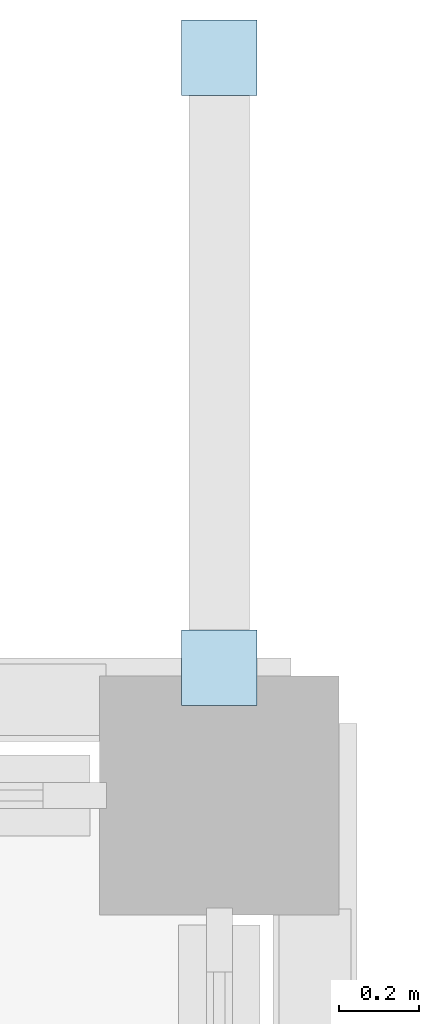
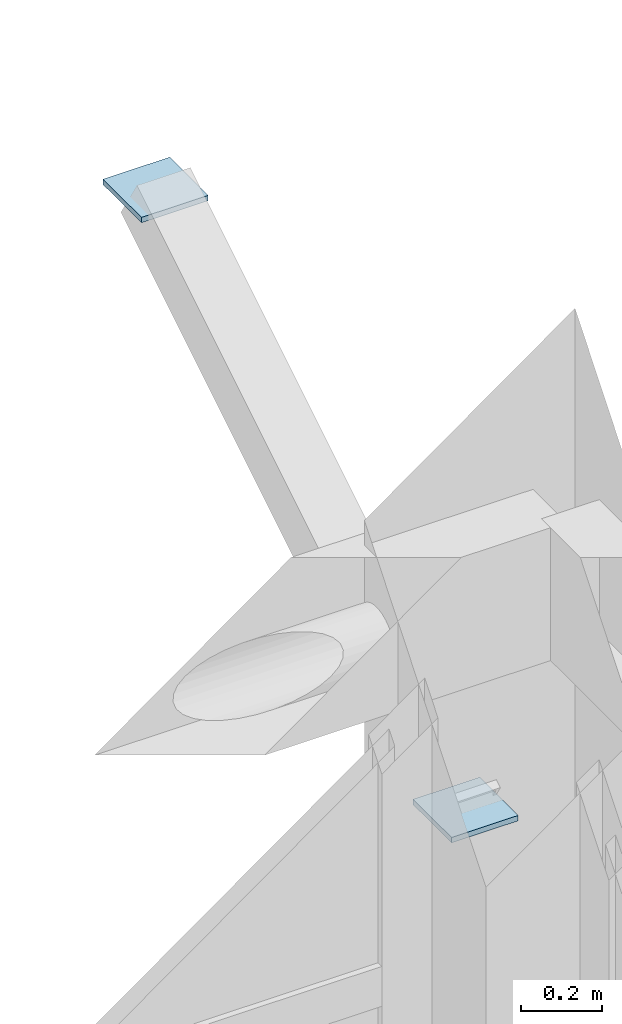
# One storey, part 20 of 35: 2 plates.
"""IFC4 building model written with IfcOpenShell, lengths in metres."""

from ifc_helpers import new_model, si_unit, derived_unit, direction, frame, origin, origin_2d, place, context, subcontext, project, spatial, rectangle, extrude, material, layer, layer_set, type_object, element, save


model = new_model("IFC4")

# Units and contexts
model_context = context("Model", 3, precision=1e-05, world=origin(), true_north=direction((0.0, 1.0)))
body_context = subcontext(model_context, "Body", "Model", "MODEL_VIEW")
ifc_project = project(units=[si_unit("LENGTHUNIT", "METRE"), si_unit("AREAUNIT", "SQUARE_METRE"), si_unit("VOLUMEUNIT", "CUBIC_METRE"), si_unit("PLANEANGLEUNIT", "RADIAN"), si_unit("MASSUNIT", "GRAM", prefix="KILO"), derived_unit("THERMALTRANSMITTANCEUNIT", [(si_unit("MASSUNIT", "GRAM", prefix="KILO"), 1), (si_unit("TIMEUNIT", "SECOND"), -3), (si_unit("THERMODYNAMICTEMPERATUREUNIT", "KELVIN"), -1)])], contexts=[model_context])

# Site, building, storey
site_placement = place(None, origin())
site = spatial("IfcSite", under=ifc_project, at=site_placement, CompositionType="ELEMENT")
building_placement = place(site_placement, origin())
building = spatial("IfcBuilding", under=site, at=building_placement, Name="Veyamyaing Civic Hall", CompositionType="ELEMENT")
storey_placement = place(building_placement, frame((0.0, 0.0, 21.780029296875)))
storey = spatial("IfcBuildingStorey", under=building, at=storey_placement, Name="L05", CompositionType="ELEMENT", Elevation=21.780029296875)

# Plates
ifc_material = material(Name="Steel S355J2", Category="steel")
ifc_layer = layer(ifc_material, 0.01611328125, Name="Steel S355J2")
ifc_layer_set = layer_set([ifc_layer], Name="Steel S355J2")
plate_type = type_object("IfcPlateType", Name="GP-03", PredefinedType="SHEET", material=ifc_layer_set)
for number, where, z_axis, x_axis, name in (
    (1, (48.0, 112.320068359375, 2.40185546875), (0.0, 0.0, 1.0), (0.0, 1.0, 0.0), "Eave strut end-cap plate GP-03 V4-NW.6.1"),
    (2, (48.0, 113.85009765625, 3.341796875), (0.0, 0.0, 1.0), (0.0, 1.0, 0.0), "Eave strut end-cap plate GP-03 V4-NW.6.2"),
):
    element("IfcPlate", number, at=place(storey_placement, frame(where, z_axis=z_axis, x_axis=x_axis)), inside=storey, type_object=plate_type, Name=name, PredefinedType="SHEET", context=body_context, shape_type="SweptSolid", body=[
        extrude(rectangle(XDim=0.18994140625, YDim=0.18994140625, at=origin_2d()), origin(), (0.0, 0.0, 1.0), 0.01611328125),
    ])

save(model, "model.ifc")
